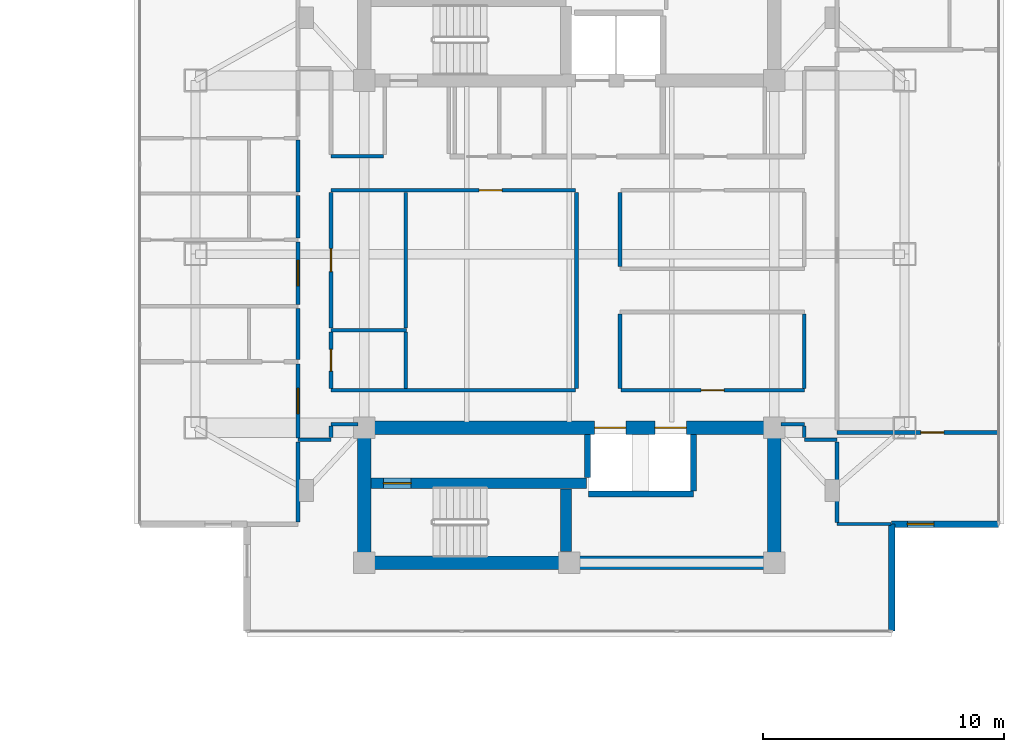
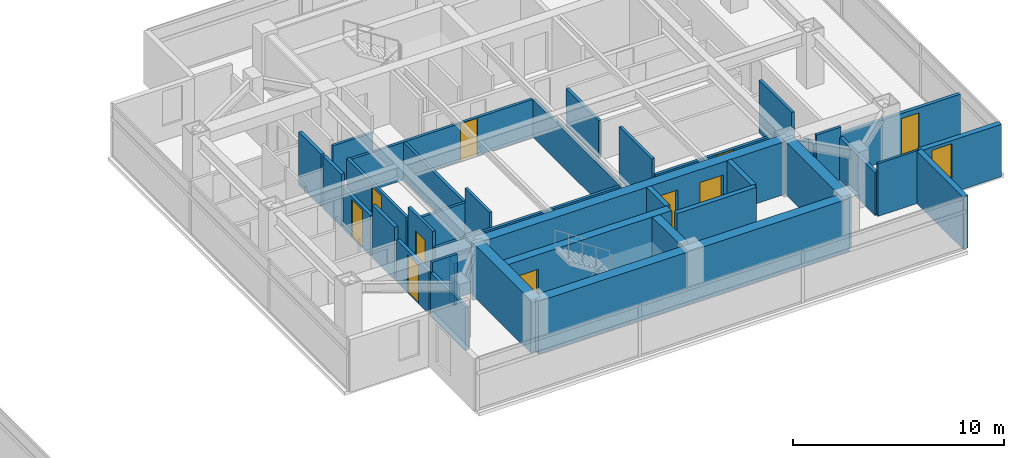
# One storey, part 17 of 26: 39 walls, 10 doors, 1 window, 11 openings.
"""IFC4 building model written with IfcOpenShell, lengths in metres."""

import ifcopenshell
import ifcopenshell.guid

model = None  # the IFC model being written
_history = None  # IfcOwnerHistory: only IFC2X3 demands one
_inside = {}  # id of a spatial element -> (the spatial element, [elements in it])
_under = {}  # id of a project, library or spatial element -> (it, [spatial elements below it])
_declared = {}  # id of a project -> (the project, [libraries it declares])
_typed = {}  # id of a type object -> (the type object, [elements of that type])
_made_of = {}  # id of a material, layer set ... -> (it, [elements and type objects made of it])


def new_model(schema):
    """Start an empty IFC model of exactly this schema.

    Asked for "IFC4X3", IfcOpenShell would pick the latest addendum, in which some entities
    have other attributes; the version numbers below select the first issue.
    IFC2X3 requires an IfcOwnerHistory on every rooted entity: one is made here for all.
    """
    global model, _history
    if schema == "IFC4X3":
        model = ifcopenshell.file(schema_version=(4, 3, 0, 0))
    else:
        model = ifcopenshell.file(schema=schema)
    _inside.clear()
    _under.clear()
    _declared.clear()
    _typed.clear()
    _made_of.clear()
    _history = None
    if model.schema == "IFC2X3":
        org = make("IfcOrganization", Name="unknown")
        user = make(
            "IfcPersonAndOrganization",
            ThePerson=make("IfcPerson", FamilyName="unknown"),
            TheOrganization=org,
        )
        app = make(
            "IfcApplication",
            ApplicationDeveloper=org,
            Version="unknown",
            ApplicationFullName="unknown",
            ApplicationIdentifier="unknown",
        )
        _history = make(
            "IfcOwnerHistory",
            OwningUser=user,
            OwningApplication=app,
            ChangeAction="ADDED",
            CreationDate=0,
        )
    return model


def make(cls, **values):
    """One entity of the class cls with the attributes given. An attribute that is None is left unset."""
    return model.create_entity(
        cls, **{name: value for name, value in values.items() if value is not None}
    )


def rooted(cls, **values):
    """An entity with a GlobalId (a new one), such as an element, a storey or a relation."""
    return make(cls, GlobalId=ifcopenshell.guid.new(), OwnerHistory=_history, **values)


def si_unit(unit_type, name, prefix=None):
    """IfcSIUnit, for example si_unit("LENGTHUNIT", "METRE", prefix="MILLI")."""
    return make("IfcSIUnit", UnitType=unit_type, Prefix=prefix, Name=name)


def assignment(units):
    """IfcUnitAssignment: the units of a project."""
    return None if units is None else make("IfcUnitAssignment", Units=units)


def point(xyz):
    """IfcCartesianPoint."""
    return None if xyz is None else make("IfcCartesianPoint", Coordinates=xyz)


def direction(xyz):
    """IfcDirection."""
    return None if xyz is None else make("IfcDirection", DirectionRatios=xyz)


def frame(location, z_axis=None, x_axis=None):
    """IfcAxis2Placement3D, a coordinate frame: its origin and axes. An axis left out is left unset."""
    return make(
        "IfcAxis2Placement3D",
        Location=point(location),
        Axis=direction(z_axis),
        RefDirection=direction(x_axis),
    )


def frame_2d(location, x_axis=None):
    """IfcAxis2Placement2D, a coordinate frame in the plane: its origin and x axis."""
    return make(
        "IfcAxis2Placement2D", Location=point(location), RefDirection=direction(x_axis)
    )


def origin():
    """The frame at (0, 0, 0) with its axes left unset."""
    return frame((0.0, 0.0, 0.0))


def place(relative_to, where):
    """IfcLocalPlacement: puts the frame where relative to a parent placement (None: the world)."""
    return make(
        "IfcLocalPlacement", PlacementRelTo=relative_to, RelativePlacement=where
    )


def context(
    kind, dimensions, precision=None, world=None, true_north=None, identifier=None
):
    """IfcGeometricRepresentationContext, for example the 3D "Model" context."""
    return make(
        "IfcGeometricRepresentationContext",
        ContextIdentifier=identifier,
        ContextType=kind,
        CoordinateSpaceDimension=dimensions,
        Precision=precision,
        WorldCoordinateSystem=world,
        TrueNorth=true_north,
    )


def subcontext(parent, identifier, kind, view, scale=None):
    """IfcGeometricRepresentationSubContext, for example "Body" below "Model"."""
    return make(
        "IfcGeometricRepresentationSubContext",
        ContextIdentifier=identifier,
        ContextType=kind,
        ParentContext=parent,
        TargetScale=scale,
        TargetView=view,
    )


def project(units=None, contexts=None):
    """IfcProject with its units and contexts."""
    return rooted(
        "IfcProject",
        Name="project",
        RepresentationContexts=contexts,
        UnitsInContext=assignment(units),
    )


def spatial(cls, under=None, at=None, **own):
    """A site, building, storey or space (cls), placed at a placement, below another one or the project."""
    s = rooted(cls, ObjectPlacement=at, **own)
    if under is not None:
        _under.setdefault(under.id(), (under, []))[1].append(s)
    return s


def profile(cls, at=None, kind="AREA", **sizes):
    """A parametric profile (cls). Its sizes go by their IFC names, for example OverallWidth=200.0."""
    return make(cls, ProfileType=kind, Position=at, **sizes)


def rectangle(**sizes):
    """IfcRectangleProfileDef."""
    return profile("IfcRectangleProfileDef", **sizes)


def extrude(swept, where, along, depth):
    """IfcExtrudedAreaSolid: the profile swept, set in the frame where, extruded along a direction by depth."""
    return make(
        "IfcExtrudedAreaSolid",
        SweptArea=swept,
        Position=where,
        ExtrudedDirection=direction(along),
        Depth=depth,
    )


def shape(context_of_items, identifier, shape_type, items):
    """IfcShapeRepresentation: the items that make up one representation, for example the "Body"."""
    return make(
        "IfcShapeRepresentation",
        ContextOfItems=context_of_items,
        RepresentationIdentifier=identifier,
        RepresentationType=shape_type,
        Items=items,
    )


def material(Name=None, Category=None):
    """IfcMaterial."""
    return make("IfcMaterial", Name=Name, Category=Category)


def layer(
    of_material, thickness, ventilated=None, Name=None, Category=None, Priority=None
):
    """IfcMaterialLayer: one layer of a wall or slab, of a material (None: an air gap)."""
    return make(
        "IfcMaterialLayer",
        Material=of_material,
        LayerThickness=thickness,
        IsVentilated=ventilated,
        Name=Name,
        Category=Category,
        Priority=Priority,
    )


def layer_set(layers, Name=None):
    """IfcMaterialLayerSet."""
    return make("IfcMaterialLayerSet", MaterialLayers=layers, LayerSetName=Name)


def made_of(thing, what):
    """Note that an element or type object is made of a material, layer set ...; save() writes the relation."""
    if what is not None:
        _made_of.setdefault(what.id(), (what, []))[1].append(thing)
    return thing


def type_object(cls, material=None, **own):
    """A type object (cls), such as IfcWallType, which elements share."""
    return made_of(rooted(cls, **own), material)


def element(
    cls,
    number,
    at=None,
    inside=None,
    cuts=None,
    type_object=None,
    material=None,
    context=None,
    identifier="Body",
    shape_type=None,
    held_by="IfcProductDefinitionShape",
    body=None,
    shapes=None,
    **own,
):
    """One element of the class cls, such as IfcWall. Its Tag is "e" and its number.

    at: its placement. inside: the storey or other place that contains it. cuts: it is an
    opening in that element (IfcRelVoidsElement). A single representation is given by context,
    identifier, shape_type and body (its items); several are given by shapes. held_by: the class
    of the entity that holds the representations. save() writes the other relations.
    """
    e = rooted(cls, Tag="e%d" % number, ObjectPlacement=at, **own)
    if body is not None:
        shapes = [shape(context, identifier, shape_type, body)]
    if shapes is not None:
        e.Representation = make(held_by, Representations=shapes)
    if inside is not None:
        _inside.setdefault(inside.id(), (inside, []))[1].append(e)
    if cuts is not None:
        rooted(
            "IfcRelVoidsElement", RelatingBuildingElement=cuts, RelatedOpeningElement=e
        )
    if type_object is not None:
        _typed.setdefault(type_object.id(), (type_object, []))[1].append(e)
    return made_of(e, material)


def fill(opening, filler):
    """IfcRelFillsElement: the door or window that sits in an opening."""
    return rooted(
        "IfcRelFillsElement",
        RelatingOpeningElement=opening,
        RelatedBuildingElement=filler,
    )


def aggregate(whole, parts):
    """IfcRelAggregates: a whole, such as a stair, and the parts it consists of."""
    return rooted("IfcRelAggregates", RelatingObject=whole, RelatedObjects=parts)


def save(model, path):
    """Write the relations noted so far, then the file.

    IfcRelAggregates (storeys below a building ...), IfcRelContainedInSpatialStructure (elements
    in a storey), IfcRelDefinesByType, IfcRelAssociatesMaterial and IfcRelDeclares: one each for
    every whole, place, type object, material and project.
    """
    for whole, parts in _under.values():
        aggregate(whole, parts)
    for where, things in _inside.values():
        rooted(
            "IfcRelContainedInSpatialStructure",
            RelatedElements=things,
            RelatingStructure=where,
        )
    for kind, things in _typed.values():
        rooted("IfcRelDefinesByType", RelatedObjects=things, RelatingType=kind)
    for what, things in _made_of.values():
        rooted("IfcRelAssociatesMaterial", RelatedObjects=things, RelatingMaterial=what)
    for by, libraries in _declared.values():
        rooted("IfcRelDeclares", RelatingContext=by, RelatedDefinitions=libraries)
    model.write(path)


model = new_model("IFC4")

# Units and contexts
model_context = context("Model", 3, precision=1e-05, world=origin(), true_north=direction((0.0, 1.0)))
body_context = subcontext(model_context, "Body", "Model", "MODEL_VIEW")
ifc_project = project(units=[si_unit("LENGTHUNIT", "METRE"), si_unit("AREAUNIT", "SQUARE_METRE"), si_unit("VOLUMEUNIT", "CUBIC_METRE"), si_unit("PLANEANGLEUNIT", "RADIAN"), si_unit("MASSUNIT", "GRAM", prefix="KILO")], contexts=[model_context])

# Site, building, storey
site_placement = place(None, origin())
site = spatial("IfcSite", under=ifc_project, at=site_placement, CompositionType="ELEMENT")
building_placement = place(site_placement, origin())
building = spatial("IfcBuilding", under=site, at=building_placement, Name="Mirazonda Arch Towers", CompositionType="ELEMENT")
storey_placement = place(building_placement, frame((0.0, 0.0, 203.14990234375)))
storey = spatial("IfcBuildingStorey", under=building, at=storey_placement, Name="L58", CompositionType="ELEMENT", Elevation=203.14990234375)

# Wall, opening, door
ifc_material_1 = material(Name="Concrete C50/60", Category="concrete")
ifc_layer_1 = layer(ifc_material_1, 0.449951171875, Name="WALL-CORE-450")
ifc_layer_set_1 = layer_set([ifc_layer_1], Name="Concrete C50/60")
wall_type_1 = type_object("IfcWallType", Name="WALL-CORE-450", PredefinedType="SHEAR", material=ifc_layer_set_1)
wall_1_placement = place(storey_placement, frame((68.27001953125, 18.5, 0.0), z_axis=(0.0, 0.0, 1.0), x_axis=(1.0, 0.0, 0.0)))
wall_1 = element("IfcWall", 1, at=wall_1_placement, inside=storey, type_object=wall_type_1, Name="L58 Stair Core Shear Wall 013", PredefinedType="SHEAR", context=body_context, shape_type="SweptSolid", body=[
    extrude(rectangle(XDim=8.949951171875, YDim=0.449951171875, at=frame_2d((4.47509765625, 0.0))), origin(), (0.0, 0.0, 1.0), 3.050048828125),
])
opening_1_placement = place(wall_1_placement, frame((0.52001953125, 0.0, 0.0)))
opening_1 = element("IfcOpeningElement", 2, at=opening_1_placement, cuts=wall_1, Name="Opening DR-135", PredefinedType="OPENING", context=body_context, shape_type="SweptSolid", body=[
    extrude(rectangle(XDim=1.14990234375, YDim=2.199951171875, at=frame_2d((0.574951171875, 1.10009765625))), frame((0.0, 0.23486328125, 0.0), z_axis=(0.0, -1.0, 0.0), x_axis=(1.0, 0.0, 0.0)), (0.0, 0.0, 1.0), 0.469970703125),
])
ifc_material_2 = material(Name="Architectural Brushed Steel S355", Category="steel")
door_type_1 = type_object("IfcDoorType", Name="DOOR-STAIR-FD90-1150", OperationType="NOTDEFINED", PredefinedType="DOOR", material=ifc_material_2)
door_1_placement = place(opening_1_placement, origin())
door_1 = element("IfcDoor", 3, at=door_1_placement, inside=storey, type_object=door_type_1, Name="L58 East Protected Stair South Door", OperationType="SINGLE_SWING_LEFT", OverallHeight=2.199951171875, OverallWidth=1.14990234375, PredefinedType="DOOR", context=body_context, shape_type="SweptSolid", body=[
    extrude(rectangle(XDim=1.14990234375, YDim=2.199951171875, at=frame_2d((0.574951171875, 1.10009765625))), frame((0.0, 0.02490234375, 0.0), z_axis=(0.0, -1.0, 0.0), x_axis=(1.0, 0.0, 0.0)), (0.0, 0.0, 1.0), 0.050048828125),
])
fill(opening_1, door_1)

# Walls
wall_2_placement = place(storey_placement, frame((76.360107421875, 15.6650390625, 0.0), z_axis=(0.0, 0.0, 1.0), x_axis=(0.0, 1.0, 0.0)))
element("IfcWall", 4, at=wall_2_placement, inside=storey, type_object=wall_type_1, Name="L58 Stair Core Shear Wall 136", PredefinedType="SHEAR", context=body_context, shape_type="SweptSolid", body=[
    extrude(rectangle(XDim=2.599853515625, YDim=0.449951171875, at=frame_2d((1.2998046875, 0.0))), origin(), (0.0, 0.0, 1.0), 3.050048828125),
])
ifc_layer_2 = layer(ifc_material_1, 0.550048828125, Name="WALL-CORE-550")
ifc_layer_set_2 = layer_set([ifc_layer_2], Name="Concrete C50/60")
wall_type_2 = type_object("IfcWallType", Name="WALL-CORE-550", PredefinedType="SHEAR", material=ifc_layer_set_2)
wall_3_placement = place(storey_placement, frame((68.0, 15.199951171875, 0.0), z_axis=(0.0, 0.0, 1.0), x_axis=(1.0, 0.0, 0.0)))
element("IfcWall", 5, at=wall_3_placement, inside=storey, type_object=wall_type_2, Name="L58 T2S-S Core Shear Wall", PredefinedType="SHEAR", context=body_context, shape_type="SweptSolid", body=[
    extrude(rectangle(XDim=17.0, YDim=0.550048828125, at=frame_2d((8.5, 0.0))), origin(), (0.0, 0.0, 1.0), 3.050048828125),
])
for number, where, z_axis, x_axis, name in (
    (6, (68.0, 15.199951171875, 0.0), (0.0, 0.0, 1.0), (0.0, 1.0, 0.0), "L58 T2S-W Core Shear Wall"),
    (7, (85.0, 15.199951171875, 0.0), (0.0, 0.0, 1.0), (0.0, 1.0, 0.0), "L58 T2S-E Core Shear Wall"),
):
    element("IfcWall", number, at=place(storey_placement, frame(where, z_axis=z_axis, x_axis=x_axis)), inside=storey, type_object=wall_type_2, Name=name, PredefinedType="SHEAR", context=body_context, shape_type="SweptSolid", body=[
        extrude(rectangle(XDim=5.60009765625, YDim=0.550048828125, at=frame_2d((2.800048828125, 0.0))), origin(), (0.0, 0.0, 1.0), 3.050048828125),
    ])

# Wall, openings, doors
wall_4_placement = place(storey_placement, frame((68.0, 20.800048828125, 0.0), z_axis=(0.0, 0.0, 1.0), x_axis=(1.0, 0.0, 0.0)))
wall_4 = element("IfcWall", 8, at=wall_4_placement, inside=storey, type_object=wall_type_2, Name="L58 T2S-N Core Shear Wall", PredefinedType="SHEAR", context=body_context, shape_type="SweptSolid", body=[
    extrude(rectangle(XDim=17.0, YDim=0.550048828125, at=frame_2d((8.5, 0.0))), origin(), (0.0, 0.0, 1.0), 3.050048828125),
])
opening_2_placement = place(wall_4_placement, frame((9.550048828125, 0.0, 0.0)))
opening_2 = element("IfcOpeningElement", 9, at=opening_2_placement, cuts=wall_4, Name="Opening LD-111", PredefinedType="OPENING", context=body_context, shape_type="SweptSolid", body=[
    extrude(rectangle(XDim=1.300048828125, YDim=2.300048828125, at=frame_2d((0.64990234375, 1.14990234375))), frame((0.0, 0.284912109375, 0.0), z_axis=(0.0, -1.0, 0.0), x_axis=(1.0, 0.0, 0.0)), (0.0, 0.0, 1.0), 0.570068359375),
])
opening_3_placement = place(wall_4_placement, frame((12.050048828125, 0.0, 0.0)))
opening_3 = element("IfcOpeningElement", 10, at=opening_3_placement, cuts=wall_4, Name="Opening LD-111", PredefinedType="OPENING", context=body_context, shape_type="SweptSolid", body=[
    extrude(rectangle(XDim=1.300048828125, YDim=2.300048828125, at=frame_2d((0.64990234375, 1.14990234375))), frame((0.0, 0.284912109375, 0.0), z_axis=(0.0, -1.0, 0.0), x_axis=(1.0, 0.0, 0.0)), (0.0, 0.0, 1.0), 0.570068359375),
])
door_type_2 = type_object("IfcDoorType", Name="DOOR-LIFT-LAND-1300", OperationType="NOTDEFINED", PredefinedType="DOOR", material=ifc_material_2)
door_2_placement = place(opening_2_placement, origin())
door_2 = element("IfcDoor", 11, at=door_2_placement, inside=storey, type_object=door_type_2, Name="L58 Lift Landing Sliding Door PL-T2H1", OperationType="DOUBLE_DOOR_SLIDING", OverallHeight=2.300048828125, OverallWidth=1.300048828125, PredefinedType="DOOR", context=body_context, shape_type="SweptSolid", body=[
    extrude(rectangle(XDim=1.300048828125, YDim=2.300048828125, at=frame_2d((0.64990234375, 1.14990234375))), frame((0.0, 0.02490234375, 0.0), z_axis=(0.0, -1.0, 0.0), x_axis=(1.0, 0.0, 0.0)), (0.0, 0.0, 1.0), 0.050048828125),
])
fill(opening_2, door_2)
door_3_placement = place(opening_3_placement, origin())
door_3 = element("IfcDoor", 12, at=door_3_placement, inside=storey, type_object=door_type_2, Name="L58 Lift Landing Sliding Door PL-T2H2", OperationType="DOUBLE_DOOR_SLIDING", OverallHeight=2.300048828125, OverallWidth=1.300048828125, PredefinedType="DOOR", context=body_context, shape_type="SweptSolid", body=[
    extrude(rectangle(XDim=1.300048828125, YDim=2.300048828125, at=frame_2d((0.64990234375, 1.14990234375))), frame((0.0, 0.02490234375, 0.0), z_axis=(0.0, -1.0, 0.0), x_axis=(1.0, 0.0, 0.0)), (0.0, 0.0, 1.0), 0.050048828125),
])
fill(opening_3, door_3)

# Wall, opening, window
ifc_material_3 = material(Name="Precast Concrete C40/50", Category="concrete")
ifc_layer_3 = layer(ifc_material_3, 0.280029296875, Name="WALL-EXT-WALL-280")
ifc_layer_set_3 = layer_set([ifc_layer_3], Name="Precast Concrete C40/50")
wall_type_3 = type_object("IfcWallType", Name="WALL-EXT-WALL-280", PredefinedType="SOLIDWALL", material=ifc_layer_set_3)
wall_5_placement = place(storey_placement, frame((89.86572265625, 16.801513671875, 0.0), z_axis=(0.0, 0.0, 1.0), x_axis=(1.0, 0.0, 0.0)))
wall_5 = element("IfcWall", 13, at=wall_5_placement, inside=storey, type_object=wall_type_3, Name="L58 T2 Corner Notch Return Wall WL-L58-T2-CSE1", PredefinedType="SOLIDWALL", context=body_context, shape_type="SweptSolid", body=[
    extrude(rectangle(XDim=4.439697265625, YDim=0.280029296875, at=frame_2d((2.2197265625, 0.0))), origin(), (0.0, 0.0, 1.0), 3.030029296875),
])
opening_4_placement = place(wall_5_placement, frame((0.64990234375, 0.0, 0.85009765625)))
opening_4 = element("IfcOpeningElement", 14, at=opening_4_placement, cuts=wall_5, Name="Opening WN-108", PredefinedType="OPENING", context=body_context, shape_type="SweptSolid", body=[
    extrude(rectangle(XDim=1.10009765625, YDim=2.0, at=frame_2d((0.550048828125, 1.0))), frame((0.0, 0.14990234375, 0.0), z_axis=(0.0, -1.0, 0.0), x_axis=(1.0, 0.0, 0.0)), (0.0, 0.0, 1.0), 0.300048828125),
])
ifc_material_4 = material(Name="Insulated Low-E Solar Glass", Category="glass")
window_type = type_object("IfcWindowType", Name="WIN-NOTCH-1100x2000", PartitioningType="SINGLE_PANEL", PredefinedType="WINDOW", material=ifc_material_4)
window_placement = place(opening_4_placement, origin())
window = element("IfcWindow", 15, at=window_placement, inside=storey, type_object=window_type, Name="L58 Punched Facade Window WN-L58-T2-CSE1", OverallHeight=2.0, OverallWidth=1.10009765625, PartitioningType="SINGLE_PANEL", PredefinedType="WINDOW", context=body_context, shape_type="SweptSolid", body=[
    extrude(rectangle(XDim=1.10009765625, YDim=2.0, at=frame_2d((0.550048828125, 1.0))), frame((0.0, 0.030029296875, 0.0), z_axis=(0.0, -1.0, 0.0), x_axis=(1.0, 0.0, 0.0)), (0.0, 0.0, 1.0), 0.06005859375),
])
fill(opening_4, window)

# Walls
wall_6_placement = place(storey_placement, frame((89.86572265625, 12.36181640625, 0.0), z_axis=(0.0, 0.0, 1.0), x_axis=(0.0, 1.0, 0.0)))
element("IfcWall", 16, at=wall_6_placement, inside=storey, type_object=wall_type_3, Name="L58 T2 Corner Notch Return Wall WL-L58-T2-CSE2", PredefinedType="SOLIDWALL", context=body_context, shape_type="SweptSolid", body=[
    extrude(rectangle(XDim=4.439697265625, YDim=0.280029296875, at=frame_2d((2.2197265625, 0.0))), origin(), (0.0, 0.0, 1.0), 3.030029296875),
])
ifc_material_5 = material(Name="Fire-Rated Gypsum Stud Partition")
ifc_layer_4 = layer(ifc_material_5, 0.14990234375, Name="WALL-PART-CORR-150")
ifc_layer_set_4 = layer_set([ifc_layer_4], Name="Fire-Rated Gypsum Stud Partition")
wall_type_4 = type_object("IfcWallType", Name="WALL-PART-CORR-150", PredefinedType="PARTITIONING", material=ifc_layer_set_4)
wall_7_placement = place(storey_placement, frame((65.25, 20.300048828125, 0.0), z_axis=(0.0, 0.0, 1.0), x_axis=(1.0, 0.0, 0.0)))
element("IfcWall", 17, at=wall_7_placement, inside=storey, type_object=wall_type_4, Name="L58 Interior Partition 015", PredefinedType="PARTITIONING", context=body_context, shape_type="SweptSolid", body=[
    extrude(rectangle(XDim=1.3701171875, YDim=0.14990234375, at=frame_2d((0.68505859375, 0.0))), origin(), (0.0, 0.0, 1.0), 3.050048828125),
])
wall_8_placement = place(storey_placement, frame((86.25, 20.300048828125, 0.0), z_axis=(0.0, 0.0, 1.0), x_axis=(1.0, 0.0, 0.0)))
element("IfcWall", 18, at=wall_8_placement, inside=storey, type_object=wall_type_4, Name="L58 Interior Partition 016", PredefinedType="PARTITIONING", context=body_context, shape_type="SweptSolid", body=[
    extrude(rectangle(XDim=1.35009765625, YDim=0.14990234375, at=frame_2d((0.675048828125, 0.0))), origin(), (0.0, 0.0, 1.0), 3.050048828125),
])
wall_9_placement = place(storey_placement, frame((66.6201171875, 20.949951171875, 0.0), z_axis=(0.0, 0.0, 1.0), x_axis=(1.0, 0.0, 0.0)))
element("IfcWall", 19, at=wall_9_placement, inside=storey, type_object=wall_type_4, Name="L58 Interior Partition 018", PredefinedType="PARTITIONING", context=body_context, shape_type="SweptSolid", body=[
    extrude(rectangle(XDim=1.10986328125, YDim=0.14990234375, at=frame_2d((0.554931640625, 0.0))), origin(), (0.0, 0.0, 1.0), 2.442138671875),
])
wall_10_placement = place(storey_placement, frame((85.27001953125, 20.949951171875, 0.0), z_axis=(0.0, 0.0, 1.0), x_axis=(1.0, 0.0, 0.0)))
element("IfcWall", 20, at=wall_10_placement, inside=storey, type_object=wall_type_4, Name="L58 Interior Partition 019", PredefinedType="PARTITIONING", context=body_context, shape_type="SweptSolid", body=[
    extrude(rectangle(XDim=0.97998046875, YDim=0.14990234375, at=frame_2d((0.489990234375, 0.0))), origin(), (0.0, 0.0, 1.0), 2.442138671875),
])
wall_11_placement = place(storey_placement, frame((66.6201171875, 22.35009765625, 0.0), z_axis=(0.0, 0.0, 1.0), x_axis=(1.0, 0.0, 0.0)))
element("IfcWall", 21, at=wall_11_placement, inside=storey, type_object=wall_type_4, Name="L58 Interior Partition 021", PredefinedType="PARTITIONING", context=body_context, shape_type="SweptSolid", body=[
    extrude(rectangle(XDim=10.139892578125, YDim=0.14990234375, at=frame_2d((5.06982421875, 0.0))), origin(), (0.0, 0.0, 1.0), 2.18603515625),
])

# Wall, opening, door
wall_12_placement = place(storey_placement, frame((78.639892578125, 22.35009765625, 0.0), z_axis=(0.0, 0.0, 1.0), x_axis=(1.0, 0.0, 0.0)))
wall_12 = element("IfcWall", 22, at=wall_12_placement, inside=storey, type_object=wall_type_4, Name="L58 Interior Partition 022", PredefinedType="PARTITIONING", context=body_context, shape_type="SweptSolid", body=[
    extrude(rectangle(XDim=7.610107421875, YDim=0.14990234375, at=frame_2d((3.80517578125, 0.0))), origin(), (0.0, 0.0, 1.0), 2.18603515625),
])
opening_5_placement = place(wall_12_placement, frame((3.330078125, 0.0, 0.0)))
opening_5 = element("IfcOpeningElement", 23, at=opening_5_placement, cuts=wall_12, Name="Opening DR-104", PredefinedType="OPENING", context=body_context, shape_type="SweptSolid", body=[
    extrude(rectangle(XDim=0.949951171875, YDim=2.14990234375, at=frame_2d((0.47509765625, 1.074951171875))), frame((0.0, 0.0849609375, 0.0), z_axis=(0.0, -1.0, 0.0), x_axis=(1.0, 0.0, 0.0)), (0.0, 0.0, 1.0), 0.169921875),
])
door_type_3 = type_object("IfcDoorType", Name="DOOR-ROOM-950", OperationType="NOTDEFINED", PredefinedType="DOOR", material=ifc_material_2)
door_4_placement = place(opening_5_placement, origin())
door_4 = element("IfcDoor", 24, at=door_4_placement, inside=storey, type_object=door_type_3, Name="L58 L58 Tower 2 South-East Salon Door", OperationType="SINGLE_SWING_RIGHT", OverallHeight=2.14990234375, OverallWidth=0.949951171875, PredefinedType="DOOR", context=body_context, shape_type="SweptSolid", body=[
    extrude(rectangle(XDim=0.949951171875, YDim=2.14990234375, at=frame_2d((0.47509765625, 1.074951171875))), frame((0.0, 0.02490234375, 0.0), z_axis=(0.0, -1.0, 0.0), x_axis=(1.0, 0.0, 0.0)), (0.0, 0.0, 1.0), 0.050048828125),
])
fill(opening_5, door_4)

# Wall
wall_13_placement = place(storey_placement, frame((66.6201171875, 24.85009765625, 0.0), z_axis=(0.0, 0.0, 1.0), x_axis=(1.0, 0.0, 0.0)))
element("IfcWall", 25, at=wall_13_placement, inside=storey, type_object=wall_type_4, Name="L58 Interior Partition 026", PredefinedType="PARTITIONING", context=body_context, shape_type="SweptSolid", body=[
    extrude(rectangle(XDim=3.1298828125, YDim=0.14990234375, at=frame_2d((1.56494140625, 0.0))), origin(), (0.0, 0.0, 1.0), 2.18603515625),
])

# Wall, opening, door
wall_14_placement = place(storey_placement, frame((66.6201171875, 30.64990234375, 0.0), z_axis=(0.0, 0.0, 1.0), x_axis=(1.0, 0.0, 0.0)))
wall_14 = element("IfcWall", 26, at=wall_14_placement, inside=storey, type_object=wall_type_4, Name="L58 Interior Partition 035", PredefinedType="PARTITIONING", context=body_context, shape_type="SweptSolid", body=[
    extrude(rectangle(XDim=10.139892578125, YDim=0.14990234375, at=frame_2d((5.06982421875, 0.0))), origin(), (0.0, 0.0, 1.0), 2.18603515625),
])
opening_6_placement = place(wall_14_placement, frame((6.139892578125, 0.0, 0.0)))
opening_6 = element("IfcOpeningElement", 27, at=opening_6_placement, cuts=wall_14, Name="Opening DR-104", PredefinedType="OPENING", context=body_context, shape_type="SweptSolid", body=[
    extrude(rectangle(XDim=0.949951171875, YDim=2.14990234375, at=frame_2d((0.47509765625, 1.074951171875))), frame((0.0, 0.0849609375, 0.0), z_axis=(0.0, -1.0, 0.0), x_axis=(1.0, 0.0, 0.0)), (0.0, 0.0, 1.0), 0.169921875),
])
door_5_placement = place(opening_6_placement, origin())
door_5 = element("IfcDoor", 28, at=door_5_placement, inside=storey, type_object=door_type_3, Name="L58 L58 East Courtyard Study Door", OperationType="SINGLE_SWING_LEFT", OverallHeight=2.14990234375, OverallWidth=0.949951171875, PredefinedType="DOOR", context=body_context, shape_type="SweptSolid", body=[
    extrude(rectangle(XDim=0.949951171875, YDim=2.14990234375, at=frame_2d((0.47509765625, 1.074951171875))), frame((0.0, 0.02490234375, 0.0), z_axis=(0.0, -1.0, 0.0), x_axis=(1.0, 0.0, 0.0)), (0.0, 0.0, 1.0), 0.050048828125),
])
fill(opening_6, door_5)

# Walls
wall_15_placement = place(storey_placement, frame((66.6201171875, 32.050048828125, 0.0), z_axis=(0.0, 0.0, 1.0), x_axis=(1.0, 0.0, 0.0)))
element("IfcWall", 29, at=wall_15_placement, inside=storey, type_object=wall_type_4, Name="L58 Interior Partition 039", PredefinedType="PARTITIONING", context=body_context, shape_type="SweptSolid", body=[
    extrude(rectangle(XDim=2.179931640625, YDim=0.14990234375, at=frame_2d((1.08984375, 0.0))), origin(), (0.0, 0.0, 1.0), 2.18603515625),
])
wall_16_placement = place(storey_placement, frame((66.6201171875, 20.385009765625, 0.0), z_axis=(0.0, 0.0, 1.0), x_axis=(0.0, 1.0, 0.0)))
element("IfcWall", 30, at=wall_16_placement, inside=storey, type_object=wall_type_4, Name="L58 Interior Partition 125", PredefinedType="PARTITIONING", context=body_context, shape_type="SweptSolid", body=[
    extrude(rectangle(XDim=0.47998046875, YDim=0.14990234375, at=frame_2d((0.239990234375, 0.0))), origin(), (0.0, 0.0, 1.0), 2.442138671875),
])

# Wall, opening, door
wall_17_placement = place(storey_placement, frame((66.6201171875, 22.43505859375, 0.0), z_axis=(0.0, 0.0, 1.0), x_axis=(0.0, 1.0, 0.0)))
wall_17 = element("IfcWall", 31, at=wall_17_placement, inside=storey, type_object=wall_type_4, Name="L58 Interior Partition 126", PredefinedType="PARTITIONING", context=body_context, shape_type="SweptSolid", body=[
    extrude(rectangle(XDim=2.329833984375, YDim=0.14990234375, at=frame_2d((1.1650390625, 0.0))), origin(), (0.0, 0.0, 1.0), 3.050048828125),
])
opening_7_placement = place(wall_17_placement, frame((0.715087890625, 0.0, 0.0)))
opening_7 = element("IfcOpeningElement", 32, at=opening_7_placement, cuts=wall_17, Name="Opening DR-120", PredefinedType="OPENING", context=body_context, shape_type="SweptSolid", body=[
    extrude(rectangle(XDim=0.89990234375, YDim=2.10009765625, at=frame_2d((0.449951171875, 1.050048828125))), frame((0.0, 0.0849609375, 0.0), z_axis=(0.0, -1.0, 0.0), x_axis=(1.0, 0.0, 0.0)), (0.0, 0.0, 1.0), 0.169921875),
])
door_type_4 = type_object("IfcDoorType", Name="DOOR-WC-900", OperationType="NOTDEFINED", PredefinedType="DOOR", material=ifc_material_2)
door_6_placement = place(opening_7_placement, origin())
door_6 = element("IfcDoor", 33, at=door_6_placement, inside=storey, type_object=door_type_4, Name="L58 Tower 2 Common Accessible WC Door", OperationType="SINGLE_SWING_RIGHT", OverallHeight=2.10009765625, OverallWidth=0.89990234375, PredefinedType="DOOR", context=body_context, shape_type="SweptSolid", body=[
    extrude(rectangle(XDim=0.89990234375, YDim=2.10009765625, at=frame_2d((0.449951171875, 1.050048828125))), frame((0.0, 0.02490234375, 0.0), z_axis=(0.0, -1.0, 0.0), x_axis=(1.0, 0.0, 0.0)), (0.0, 0.0, 1.0), 0.050048828125),
])
fill(opening_7, door_6)

wall_18_placement = place(storey_placement, frame((66.6201171875, 24.93505859375, 0.0), z_axis=(0.0, 0.0, 1.0), x_axis=(0.0, 1.0, 0.0)))
wall_18 = element("IfcWall", 34, at=wall_18_placement, inside=storey, type_object=wall_type_4, Name="L58 Interior Partition 127", PredefinedType="PARTITIONING", context=body_context, shape_type="SweptSolid", body=[
    extrude(rectangle(XDim=5.6298828125, YDim=0.14990234375, at=frame_2d((2.81494140625, 0.0))), origin(), (0.0, 0.0, 1.0), 2.34619140625),
])
opening_8_placement = place(wall_18_placement, frame((2.340087890625, 0.0, 0.0)))
opening_8 = element("IfcOpeningElement", 35, at=opening_8_placement, cuts=wall_18, Name="Opening DR-104", PredefinedType="OPENING", context=body_context, shape_type="SweptSolid", body=[
    extrude(rectangle(XDim=0.949951171875, YDim=2.14990234375, at=frame_2d((0.47509765625, 1.074951171875))), frame((0.0, 0.0849609375, 0.0), z_axis=(0.0, -1.0, 0.0), x_axis=(1.0, 0.0, 0.0)), (0.0, 0.0, 1.0), 0.169921875),
])
door_7_placement = place(opening_8_placement, origin())
door_7 = element("IfcDoor", 36, at=door_7_placement, inside=storey, type_object=door_type_3, Name="L58 L58 East Courtyard Reading Study Door", OperationType="SINGLE_SWING_RIGHT", OverallHeight=2.14990234375, OverallWidth=0.949951171875, PredefinedType="DOOR", context=body_context, shape_type="SweptSolid", body=[
    extrude(rectangle(XDim=0.949951171875, YDim=2.14990234375, at=frame_2d((0.47509765625, 1.074951171875))), frame((0.0, 0.02490234375, 0.0), z_axis=(0.0, -1.0, 0.0), x_axis=(1.0, 0.0, 0.0)), (0.0, 0.0, 1.0), 0.050048828125),
])
fill(opening_8, door_7)

# Walls
wall_19_placement = place(storey_placement, frame((69.723388671875, 22.43505859375, 0.0), z_axis=(0.0, 0.0, 1.0), x_axis=(0.0, 1.0, 0.0)))
element("IfcWall", 37, at=wall_19_placement, inside=storey, type_object=wall_type_4, Name="L58 Interior Partition 130", PredefinedType="PARTITIONING", context=body_context, shape_type="SweptSolid", body=[
    extrude(rectangle(XDim=2.329833984375, YDim=0.14990234375, at=frame_2d((1.1650390625, 0.0))), origin(), (0.0, 0.0, 1.0), 3.050048828125),
])
wall_20_placement = place(storey_placement, frame((69.723388671875, 24.93505859375, 0.0), z_axis=(0.0, 0.0, 1.0), x_axis=(0.0, 1.0, 0.0)))
element("IfcWall", 38, at=wall_20_placement, inside=storey, type_object=wall_type_4, Name="L58 Interior Partition 131", PredefinedType="PARTITIONING", context=body_context, shape_type="SweptSolid", body=[
    extrude(rectangle(XDim=5.6298828125, YDim=0.14990234375, at=frame_2d((2.81494140625, 0.0))), origin(), (0.0, 0.0, 1.0), 2.18603515625),
])
wall_21_placement = place(storey_placement, frame((76.800048828125, 22.43505859375, 0.0), z_axis=(0.0, 0.0, 1.0), x_axis=(0.0, 1.0, 0.0)))
element("IfcWall", 39, at=wall_21_placement, inside=storey, type_object=wall_type_4, Name="L58 Interior Partition 138", PredefinedType="PARTITIONING", context=body_context, shape_type="SweptSolid", body=[
    extrude(rectangle(XDim=8.1298828125, YDim=0.14990234375, at=frame_2d((4.06494140625, 0.0))), origin(), (0.0, 0.0, 1.0), 2.18603515625),
])
wall_22_placement = place(storey_placement, frame((78.60009765625, 22.43505859375, 0.0), z_axis=(0.0, 0.0, 1.0), x_axis=(0.0, 1.0, 0.0)))
element("IfcWall", 40, at=wall_22_placement, inside=storey, type_object=wall_type_4, Name="L58 Interior Partition 140", PredefinedType="PARTITIONING", context=body_context, shape_type="SweptSolid", body=[
    extrude(rectangle(XDim=3.079833984375, YDim=0.14990234375, at=frame_2d((1.5400390625, 0.0))), origin(), (0.0, 0.0, 1.0), 3.050048828125),
])
wall_23_placement = place(storey_placement, frame((78.60009765625, 27.485107421875, 0.0), z_axis=(0.0, 0.0, 1.0), x_axis=(0.0, 1.0, 0.0)))
element("IfcWall", 41, at=wall_23_placement, inside=storey, type_object=wall_type_4, Name="L58 Interior Partition 141", PredefinedType="PARTITIONING", context=body_context, shape_type="SweptSolid", body=[
    extrude(rectangle(XDim=3.079833984375, YDim=0.14990234375, at=frame_2d((1.5400390625, 0.0))), origin(), (0.0, 0.0, 1.0), 2.18603515625),
])
wall_24_placement = place(storey_placement, frame((86.25, 20.385009765625, 0.0), z_axis=(0.0, 0.0, 1.0), x_axis=(0.0, 1.0, 0.0)))
element("IfcWall", 42, at=wall_24_placement, inside=storey, type_object=wall_type_4, Name="L58 Interior Partition 147", PredefinedType="PARTITIONING", context=body_context, shape_type="SweptSolid", body=[
    extrude(rectangle(XDim=0.47998046875, YDim=0.14990234375, at=frame_2d((0.239990234375, 0.0))), origin(), (0.0, 0.0, 1.0), 2.442138671875),
])
wall_25_placement = place(storey_placement, frame((86.25, 22.43505859375, 0.0), z_axis=(0.0, 0.0, 1.0), x_axis=(0.0, 1.0, 0.0)))
element("IfcWall", 43, at=wall_25_placement, inside=storey, type_object=wall_type_4, Name="L58 Interior Partition 148", PredefinedType="PARTITIONING", context=body_context, shape_type="SweptSolid", body=[
    extrude(rectangle(XDim=3.079833984375, YDim=0.14990234375, at=frame_2d((1.5400390625, 0.0))), origin(), (0.0, 0.0, 1.0), 3.050048828125),
])

# Wall, opening, door
ifc_material_6 = material(Name="Fire-Rated Gypsum Twin-Stud Assembly")
ifc_layer_5 = layer(ifc_material_6, 0.179931640625, Name="WALL-PART-DEMISE-180")
ifc_layer_set_5 = layer_set([ifc_layer_5], Name="Fire-Rated Gypsum Twin-Stud Assembly")
wall_type_5 = type_object("IfcWallType", Name="WALL-PART-DEMISE-180", PredefinedType="PARTITIONING", material=ifc_layer_set_5)
wall_26_placement = place(storey_placement, frame((87.60009765625, 20.60107421875, 0.0), z_axis=(0.0, 0.0, 1.0), x_axis=(1.0, 0.0, 0.0)))
wall_26 = element("IfcWall", 44, at=wall_26_placement, inside=storey, type_object=wall_type_5, Name="L58 Interior Partition 017", PredefinedType="PARTITIONING", context=body_context, shape_type="SweptSolid", body=[
    extrude(rectangle(XDim=6.704833984375, YDim=0.179931640625, at=frame_2d((3.3525390625, 0.0))), origin(), (0.0, 0.0, 1.0), 2.442138671875),
])
opening_9_placement = place(wall_26_placement, frame((3.4775390625, 0.0, 0.0)))
opening_9 = element("IfcOpeningElement", 45, at=opening_9_placement, cuts=wall_26, Name="Opening DR-104", PredefinedType="OPENING", context=body_context, shape_type="SweptSolid", body=[
    extrude(rectangle(XDim=0.949951171875, YDim=2.14990234375, at=frame_2d((0.47509765625, 1.074951171875))), frame((0.0, 0.099853515625, 0.0), z_axis=(0.0, -1.0, 0.0), x_axis=(1.0, 0.0, 0.0)), (0.0, 0.0, 1.0), 0.199951171875),
])
door_8_placement = place(opening_9_placement, origin())
door_8 = element("IfcDoor", 46, at=door_8_placement, inside=storey, type_object=door_type_3, Name="L58 Residence 1 Principal Bedroom Door", OperationType="SINGLE_SWING_LEFT", OverallHeight=2.14990234375, OverallWidth=0.949951171875, PredefinedType="DOOR", context=body_context, shape_type="SweptSolid", body=[
    extrude(rectangle(XDim=0.949951171875, YDim=2.14990234375, at=frame_2d((0.47509765625, 1.074951171875))), frame((0.0, 0.02490234375, 0.0), z_axis=(0.0, -1.0, 0.0), x_axis=(1.0, 0.0, 0.0)), (0.0, 0.0, 1.0), 0.050048828125),
])
fill(opening_9, door_8)

# Wall
wall_27_placement = place(storey_placement, frame((65.25, 16.90087890625, 0.0), z_axis=(0.0, 0.0, 1.0), x_axis=(0.0, 1.0, 0.0)))
element("IfcWall", 47, at=wall_27_placement, inside=storey, type_object=wall_type_5, Name="L58 Interior Partition 117", PredefinedType="PARTITIONING", context=body_context, shape_type="SweptSolid", body=[
    extrude(rectangle(XDim=3.314208984375, YDim=0.179931640625, at=frame_2d((1.6572265625, 0.0))), origin(), (0.0, 0.0, 1.0), 2.4931640625),
])

# Wall, opening, door
wall_28_placement = place(storey_placement, frame((65.25, 20.385009765625, 0.0), z_axis=(0.0, 0.0, 1.0), x_axis=(0.0, 1.0, 0.0)))
wall_28 = element("IfcWall", 48, at=wall_28_placement, inside=storey, type_object=wall_type_5, Name="L58 Interior Partition 118", PredefinedType="PARTITIONING", context=body_context, shape_type="SweptSolid", body=[
    extrude(rectangle(XDim=3.049072265625, YDim=0.179931640625, at=frame_2d((1.5244140625, 0.0))), origin(), (0.0, 0.0, 1.0), 2.442138671875),
])
opening_10_placement = place(wall_28_placement, frame((0.99951171875, 0.0, 0.0)))
opening_10 = element("IfcOpeningElement", 49, at=opening_10_placement, cuts=wall_28, Name="Opening DR-121", PredefinedType="OPENING", context=body_context, shape_type="SweptSolid", body=[
    extrude(rectangle(XDim=1.050048828125, YDim=2.199951171875, at=frame_2d((0.52490234375, 1.10009765625))), frame((0.0, 0.099853515625, 0.0), z_axis=(0.0, -1.0, 0.0), x_axis=(1.0, 0.0, 0.0)), (0.0, 0.0, 1.0), 0.199951171875),
])
door_type_5 = type_object("IfcDoorType", Name="DOOR-SUITE-FD60-1050", OperationType="NOTDEFINED", PredefinedType="DOOR", material=ifc_material_2)
door_9_placement = place(opening_10_placement, origin())
door_9 = element("IfcDoor", 50, at=door_9_placement, inside=storey, type_object=door_type_5, Name="L58 Studio Apartment 1 Living Salon Door", OperationType="SINGLE_SWING_LEFT", OverallHeight=2.199951171875, OverallWidth=1.050048828125, PredefinedType="DOOR", context=body_context, shape_type="SweptSolid", body=[
    extrude(rectangle(XDim=1.050048828125, YDim=2.199951171875, at=frame_2d((0.52490234375, 1.10009765625))), frame((0.0, 0.02490234375, 0.0), z_axis=(0.0, -1.0, 0.0), x_axis=(1.0, 0.0, 0.0)), (0.0, 0.0, 1.0), 0.050048828125),
])
fill(opening_10, door_9)

# Wall
wall_29_placement = place(storey_placement, frame((65.25, 23.634033203125, 0.0), z_axis=(0.0, 0.0, 1.0), x_axis=(0.0, 1.0, 0.0)))
element("IfcWall", 51, at=wall_29_placement, inside=storey, type_object=wall_type_5, Name="L58 Interior Partition 119", PredefinedType="PARTITIONING", context=body_context, shape_type="SweptSolid", body=[
    extrude(rectangle(XDim=2.114990234375, YDim=0.179931640625, at=frame_2d((1.0576171875, 0.0))), origin(), (0.0, 0.0, 1.0), 3.050048828125),
])

# Wall, opening, door
wall_30_placement = place(storey_placement, frame((65.25, 25.9189453125, 0.0), z_axis=(0.0, 0.0, 1.0), x_axis=(0.0, 1.0, 0.0)))
wall_30 = element("IfcWall", 52, at=wall_30_placement, inside=storey, type_object=wall_type_5, Name="L58 Interior Partition 120", PredefinedType="PARTITIONING", context=body_context, shape_type="SweptSolid", body=[
    extrude(rectangle(XDim=2.583984375, YDim=0.179931640625, at=frame_2d((1.2919921875, 0.0))), origin(), (0.0, 0.0, 1.0), 2.34619140625),
])
opening_11_placement = place(wall_30_placement, frame((0.76708984375, 0.0, 0.0)))
opening_11 = element("IfcOpeningElement", 53, at=opening_11_placement, cuts=wall_30, Name="Opening DR-121", PredefinedType="OPENING", context=body_context, shape_type="SweptSolid", body=[
    extrude(rectangle(XDim=1.050048828125, YDim=2.199951171875, at=frame_2d((0.52490234375, 1.10009765625))), frame((0.0, 0.099853515625, 0.0), z_axis=(0.0, -1.0, 0.0), x_axis=(1.0, 0.0, 0.0)), (0.0, 0.0, 1.0), 0.199951171875),
])
door_10_placement = place(opening_11_placement, origin())
door_10 = element("IfcDoor", 54, at=door_10_placement, inside=storey, type_object=door_type_5, Name="L58 Studio Apartment 2 Living Salon Door", OperationType="SINGLE_SWING_RIGHT", OverallHeight=2.199951171875, OverallWidth=1.050048828125, PredefinedType="DOOR", context=body_context, shape_type="SweptSolid", body=[
    extrude(rectangle(XDim=1.050048828125, YDim=2.199951171875, at=frame_2d((0.52490234375, 1.10009765625))), frame((0.0, 0.02490234375, 0.0), z_axis=(0.0, -1.0, 0.0), x_axis=(1.0, 0.0, 0.0)), (0.0, 0.0, 1.0), 0.050048828125),
])
fill(opening_11, door_10)

# Walls
wall_31_placement = place(storey_placement, frame((65.25, 28.673095703125, 0.0), z_axis=(0.0, 0.0, 1.0), x_axis=(0.0, 1.0, 0.0)))
element("IfcWall", 55, at=wall_31_placement, inside=storey, type_object=wall_type_5, Name="L58 Interior Partition 121", PredefinedType="PARTITIONING", context=body_context, shape_type="SweptSolid", body=[
    extrude(rectangle(XDim=1.762451171875, YDim=0.179931640625, at=frame_2d((0.88134765625, 0.0))), origin(), (0.0, 0.0, 1.0), 3.050048828125),
])
wall_32_placement = place(storey_placement, frame((65.25, 30.58056640625, 0.0), z_axis=(0.0, 0.0, 1.0), x_axis=(0.0, 1.0, 0.0)))
element("IfcWall", 56, at=wall_32_placement, inside=storey, type_object=wall_type_5, Name="L58 Interior Partition 122", PredefinedType="PARTITIONING", context=body_context, shape_type="SweptSolid", body=[
    extrude(rectangle(XDim=2.142333984375, YDim=0.179931640625, at=frame_2d((1.0712890625, 0.0))), origin(), (0.0, 0.0, 1.0), 3.050048828125),
])
wall_33_placement = place(storey_placement, frame((87.60009765625, 16.87353515625, 0.0), z_axis=(0.0, 0.0, 1.0), x_axis=(0.0, 1.0, 0.0)))
element("IfcWall", 57, at=wall_33_placement, inside=storey, type_object=wall_type_5, Name="L58 Interior Partition 151", PredefinedType="PARTITIONING", context=body_context, shape_type="SweptSolid", body=[
    extrude(rectangle(XDim=3.341552734375, YDim=0.179931640625, at=frame_2d((1.6708984375, 0.0))), origin(), (0.0, 0.0, 1.0), 2.4931640625),
])
ifc_material_7 = material(Name="Acoustic Fire-Rated Gypsum Partition")
ifc_layer_6 = layer(ifc_material_7, 0.125, Name="WALL-PART-UNIT-125")
ifc_layer_set_6 = layer_set([ifc_layer_6], Name="Acoustic Fire-Rated Gypsum Partition")
wall_type_6 = type_object("IfcWallType", Name="WALL-PART-UNIT-125", PredefinedType="PARTITIONING", material=ifc_layer_set_6)
wall_34_placement = place(storey_placement, frame((87.60009765625, 16.801025390625, 0.0), z_axis=(0.0, 0.0, 1.0), x_axis=(1.0, 0.0, 0.0)))
element("IfcWall", 58, at=wall_34_placement, inside=storey, type_object=wall_type_6, Name="L58 Interior Partition 009", PredefinedType="PARTITIONING", context=body_context, shape_type="SweptSolid", body=[
    extrude(rectangle(XDim=2.24560546875, YDim=0.125, at=frame_2d((1.122802734375, 0.0))), origin(), (0.0, 0.0, 1.0), 3.050048828125),
])
ifc_material_8 = material(Name="Concrete C40/50", Category="concrete")
ifc_layer_7 = layer(ifc_material_8, 0.25, Name="WALL-SHAFT-250")
ifc_layer_set_7 = layer_set([ifc_layer_7], Name="Concrete C40/50")
wall_type_7 = type_object("IfcWallType", Name="WALL-SHAFT-250", PredefinedType="SOLIDWALL", material=ifc_layer_set_7)
wall_35_placement = place(storey_placement, frame((77.300048828125, 18.050048828125, 0.0), z_axis=(0.0, 0.0, 1.0), x_axis=(1.0, 0.0, 0.0)))
element("IfcWall", 59, at=wall_35_placement, inside=storey, type_object=wall_type_7, Name="L58 Interior Partition 010", PredefinedType="SOLIDWALL", context=body_context, shape_type="SweptSolid", body=[
    extrude(rectangle(XDim=4.349853515625, YDim=0.25, at=frame_2d((2.1748046875, 0.0))), origin(), (0.0, 0.0, 1.0), 3.050048828125),
])
wall_36_placement = place(storey_placement, frame((77.260009765625, 18.735107421875, 0.0), z_axis=(0.0, 0.0, 1.0), x_axis=(0.0, 1.0, 0.0)))
element("IfcWall", 60, at=wall_36_placement, inside=storey, type_object=wall_type_7, Name="L58 Interior Partition 139", PredefinedType="SOLIDWALL", context=body_context, shape_type="SweptSolid", body=[
    extrude(rectangle(XDim=1.794921875, YDim=0.25, at=frame_2d((0.8974609375, 0.0))), origin(), (0.0, 0.0, 1.0), 3.050048828125),
])
wall_37_placement = place(storey_placement, frame((81.64990234375, 18.18505859375, 0.0), z_axis=(0.0, 0.0, 1.0), x_axis=(0.0, 1.0, 0.0)))
element("IfcWall", 61, at=wall_37_placement, inside=storey, type_object=wall_type_7, Name="L58 Interior Partition 145", PredefinedType="SOLIDWALL", context=body_context, shape_type="SweptSolid", body=[
    extrude(rectangle(XDim=2.344970703125, YDim=0.25, at=frame_2d((1.17236328125, 0.0))), origin(), (0.0, 0.0, 1.0), 3.050048828125),
])

save(model, "model.ifc")
